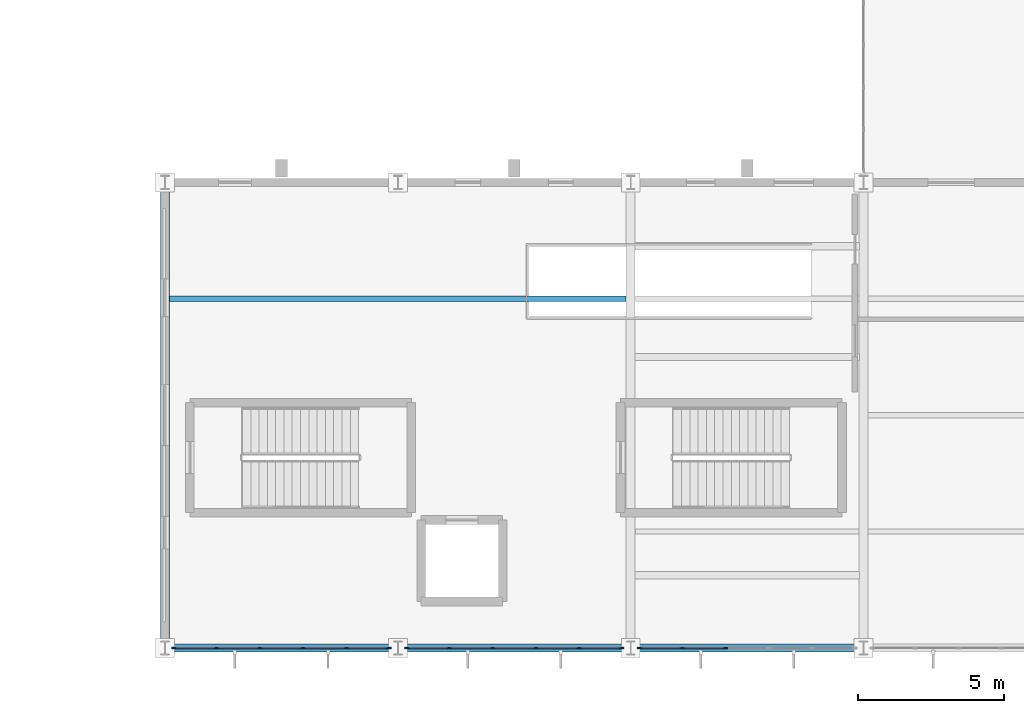
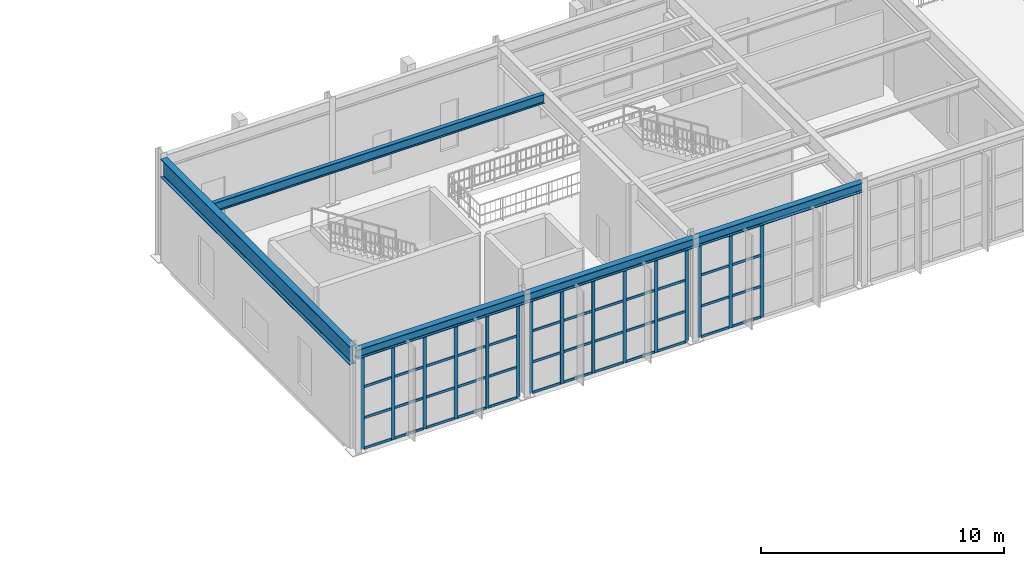
# One storey, part 19 of 82: 63 members, 5 beams, 3 elements without a shape of their own.
"""IFC4 building model written with IfcOpenShell, lengths in metres."""

from ifc_helpers import new_model, si_unit, direction, frame, origin, origin_2d, place, context, subcontext, project, spatial, rectangle, i_section, extrude, material, material_profile, profile_set, type_object, element, aggregate, save


model = new_model("IFC4")

# Units and contexts
model_context = context("Model", 3, precision=1e-05, world=origin(), true_north=direction((0.0, 1.0)))
body_context = subcontext(model_context, "Body", "Model", "MODEL_VIEW")
ifc_project = project(units=[si_unit("LENGTHUNIT", "METRE"), si_unit("AREAUNIT", "SQUARE_METRE"), si_unit("VOLUMEUNIT", "CUBIC_METRE"), si_unit("PLANEANGLEUNIT", "RADIAN"), si_unit("MASSUNIT", "GRAM", prefix="KILO")], contexts=[model_context])

# Site, building, storey
site_placement = place(None, origin())
site = spatial("IfcSite", under=ifc_project, at=site_placement, CompositionType="ELEMENT")
building_placement = place(site_placement, origin())
building = spatial("IfcBuilding", under=site, at=building_placement, Name="Serraluz Foothill Cableway Terminal", CompositionType="ELEMENT")
storey_placement = place(building_placement, frame((0.0, 0.0, 9.60009765625)))
storey = spatial("IfcBuildingStorey", under=building, at=storey_placement, Name="L02", CompositionType="ELEMENT", Elevation=9.60009765625)

# Beam
ifc_material_1 = material(Name="Steel ASTM A992 Grade 50", Category="steel")
ifc_material_profile_1 = material_profile(ifc_material_1, i_section(OverallWidth=0.30810546875, OverallDepth=0.927001953125, WebThickness=0.019287109375, FlangeThickness=0.031982421875, FilletRadius=0.02587890625, at=origin_2d()), Name="W36X194")
ifc_profile_set_1 = profile_set([ifc_material_profile_1], Name="Steel ASTM A992 Grade 50")
beam_type_1 = type_object("IfcBeamType", Name="TYP-BM-W36X194", PredefinedType="BEAM", material=ifc_profile_set_1)
beam_1_placement = place(storey_placement, frame((96.0, 0.23193359375, 4.6865234375), z_axis=(0.0, 1.0, 0.0), x_axis=(-1.0, 0.0, 0.0)))
element("IfcBeam", 1, at=beam_1_placement, inside=storey, type_object=beam_type_1, Name="Transverse Girder BM-Y-L02-0334", PredefinedType="BEAM", context=body_context, shape_type="SweptSolid", body=[
    extrude(i_section(OverallWidth=0.30810546875, OverallDepth=0.927001953125, WebThickness=0.019287109375, FlangeThickness=0.031982421875, FilletRadius=0.02587890625, at=origin_2d()), origin(), (0.0, 0.0, 1.0), 15.5361328125),
])

# Curtain wall, members
ifc_material_2 = material(Name="Architectural bronze alloy C28000", Category="aluminium")
curtain_wall_type_1 = type_object("IfcCurtainWallType", Name="TYP-CW-680X420", PredefinedType="NOTDEFINED", material=ifc_material_2)
curtain_wall_1_placement = place(storey_placement, origin())
curtain_wall_1 = element("IfcCurtainWall", 2, at=curtain_wall_1_placement, inside=storey, type_object=curtain_wall_type_1, Name="Ribbed Glazed Curtain Wall CW-V3S-L02-96", PredefinedType="NOTDEFINED")
ifc_material_profile_2 = material_profile(ifc_material_2, rectangle(XDim=0.06005859375, YDim=0.159912109375, at=origin_2d()), Name="ALU MULLION 60x160")
ifc_profile_set_2 = profile_set([ifc_material_profile_2], Name="Architectural bronze alloy C28000")
member_type_1 = type_object("IfcMemberType", Name="TYP-CW-MUL-60X160", PredefinedType="MULLION", material=ifc_profile_set_2)
member_1_placement = place(storey_placement, frame((103.6884765625, 0.0, 0.0), z_axis=(0.0, 0.0, 1.0), x_axis=(0.0, -1.0, 0.0)))
member_1 = element("IfcMember", 3, at=member_1_placement, type_object=member_type_1, Name="CW-13 mullion 1", PredefinedType="MULLION", context=body_context, shape_type="SweptSolid", body=[
    extrude(rectangle(XDim=0.06005859375, YDim=0.159912109375, at=origin_2d()), origin(), (0.0, 0.0, 1.0), 4.677978515625),
])
member_2_placement = place(storey_placement, frame((102.231201171875, 0.0, 0.0), z_axis=(0.0, 0.0, 1.0), x_axis=(0.0, -1.0, 0.0)))
member_2 = element("IfcMember", 4, at=member_2_placement, type_object=member_type_1, Name="CW-13 mullion 2", PredefinedType="MULLION", context=body_context, shape_type="SweptSolid", body=[
    extrude(rectangle(XDim=0.06005859375, YDim=0.159912109375, at=origin_2d()), origin(), (0.0, 0.0, 1.0), 4.677978515625),
])
member_3_placement = place(storey_placement, frame((100.74365234375, 0.0, 0.0), z_axis=(0.0, 0.0, 1.0), x_axis=(0.0, -1.0, 0.0)))
member_3 = element("IfcMember", 5, at=member_3_placement, type_object=member_type_1, Name="CW-13 mullion 3", PredefinedType="MULLION", context=body_context, shape_type="SweptSolid", body=[
    extrude(rectangle(XDim=0.06005859375, YDim=0.159912109375, at=origin_2d()), origin(), (0.0, 0.0, 1.0), 4.677978515625),
])
member_4_placement = place(storey_placement, frame((99.25634765625, 0.0, 0.0), z_axis=(0.0, 0.0, 1.0), x_axis=(0.0, -1.0, 0.0)))
member_4 = element("IfcMember", 6, at=member_4_placement, type_object=member_type_1, Name="CW-13 mullion 4", PredefinedType="MULLION", context=body_context, shape_type="SweptSolid", body=[
    extrude(rectangle(XDim=0.06005859375, YDim=0.159912109375, at=origin_2d()), origin(), (0.0, 0.0, 1.0), 4.677978515625),
])
member_5_placement = place(storey_placement, frame((97.768798828125, 0.0, 0.0), z_axis=(0.0, 0.0, 1.0), x_axis=(0.0, -1.0, 0.0)))
member_5 = element("IfcMember", 7, at=member_5_placement, type_object=member_type_1, Name="CW-13 mullion 5", PredefinedType="MULLION", context=body_context, shape_type="SweptSolid", body=[
    extrude(rectangle(XDim=0.06005859375, YDim=0.159912109375, at=origin_2d()), origin(), (0.0, 0.0, 1.0), 4.677978515625),
])
member_6_placement = place(storey_placement, frame((96.3115234375, 0.0, 0.0), z_axis=(0.0, 0.0, 1.0), x_axis=(0.0, -1.0, 0.0)))
member_6 = element("IfcMember", 8, at=member_6_placement, type_object=member_type_1, Name="CW-13 mullion 6", PredefinedType="MULLION", context=body_context, shape_type="SweptSolid", body=[
    extrude(rectangle(XDim=0.06005859375, YDim=0.159912109375, at=origin_2d()), origin(), (0.0, 0.0, 1.0), 4.677978515625),
])

curtain_wall_type_2 = type_object("IfcCurtainWallType", Name="TYP-CW-480X380", PredefinedType="NOTDEFINED", material=ifc_material_2)
curtain_wall_2_placement = place(storey_placement, origin())
curtain_wall_2 = element("IfcCurtainWall", 9, at=curtain_wall_2_placement, inside=storey, type_object=curtain_wall_type_2, Name="Ribbed Glazed Curtain Wall CW-V3S-L02-104", PredefinedType="NOTDEFINED")
member_7_placement = place(storey_placement, frame((111.6884765625, 0.0, 0.0), z_axis=(0.0, 0.0, 1.0), x_axis=(0.0, -1.0, 0.0)))
member_7 = element("IfcMember", 10, at=member_7_placement, type_object=member_type_1, Name="CW-14 mullion 1", PredefinedType="MULLION", context=body_context, shape_type="SweptSolid", body=[
    extrude(rectangle(XDim=0.06005859375, YDim=0.159912109375, at=origin_2d()), origin(), (0.0, 0.0, 1.0), 4.677978515625),
])
member_8_placement = place(storey_placement, frame((110.231201171875, 0.0, 0.0), z_axis=(0.0, 0.0, 1.0), x_axis=(0.0, -1.0, 0.0)))
member_8 = element("IfcMember", 11, at=member_8_placement, type_object=member_type_1, Name="CW-14 mullion 2", PredefinedType="MULLION", context=body_context, shape_type="SweptSolid", body=[
    extrude(rectangle(XDim=0.06005859375, YDim=0.159912109375, at=origin_2d()), origin(), (0.0, 0.0, 1.0), 4.677978515625),
])
member_9_placement = place(storey_placement, frame((108.74365234375, 0.0, 0.0), z_axis=(0.0, 0.0, 1.0), x_axis=(0.0, -1.0, 0.0)))
member_9 = element("IfcMember", 12, at=member_9_placement, type_object=member_type_1, Name="CW-14 mullion 3", PredefinedType="MULLION", context=body_context, shape_type="SweptSolid", body=[
    extrude(rectangle(XDim=0.06005859375, YDim=0.159912109375, at=origin_2d()), origin(), (0.0, 0.0, 1.0), 4.677978515625),
])
member_10_placement = place(storey_placement, frame((107.25634765625, 0.0, 0.0), z_axis=(0.0, 0.0, 1.0), x_axis=(0.0, -1.0, 0.0)))
member_10 = element("IfcMember", 13, at=member_10_placement, type_object=member_type_1, Name="CW-14 mullion 4", PredefinedType="MULLION", context=body_context, shape_type="SweptSolid", body=[
    extrude(rectangle(XDim=0.06005859375, YDim=0.159912109375, at=origin_2d()), origin(), (0.0, 0.0, 1.0), 4.677978515625),
])
member_11_placement = place(storey_placement, frame((105.768798828125, 0.0, 0.0), z_axis=(0.0, 0.0, 1.0), x_axis=(0.0, -1.0, 0.0)))
member_11 = element("IfcMember", 14, at=member_11_placement, type_object=member_type_1, Name="CW-14 mullion 5", PredefinedType="MULLION", context=body_context, shape_type="SweptSolid", body=[
    extrude(rectangle(XDim=0.06005859375, YDim=0.159912109375, at=origin_2d()), origin(), (0.0, 0.0, 1.0), 4.677978515625),
])
member_12_placement = place(storey_placement, frame((104.3115234375, 0.0, 0.0), z_axis=(0.0, 0.0, 1.0), x_axis=(0.0, -1.0, 0.0)))
member_12 = element("IfcMember", 15, at=member_12_placement, type_object=member_type_1, Name="CW-14 mullion 6", PredefinedType="MULLION", context=body_context, shape_type="SweptSolid", body=[
    extrude(rectangle(XDim=0.06005859375, YDim=0.159912109375, at=origin_2d()), origin(), (0.0, 0.0, 1.0), 4.677978515625),
])

curtain_wall_type_3 = type_object("IfcCurtainWallType", Name="TYP-CW-480X420", PredefinedType="NOTDEFINED", material=ifc_material_2)
curtain_wall_3_placement = place(storey_placement, origin())
curtain_wall_3 = element("IfcCurtainWall", 16, at=curtain_wall_3_placement, inside=storey, type_object=curtain_wall_type_3, Name="Ribbed Glazed Curtain Wall CW-V3S-L02-112", PredefinedType="NOTDEFINED")
member_13_placement = place(storey_placement, frame((115.25634765625, 0.0, 0.0), z_axis=(0.0, 0.0, 1.0), x_axis=(0.0, -1.0, 0.0)))
member_13 = element("IfcMember", 17, at=member_13_placement, type_object=member_type_1, Name="CW-15 mullion 4", PredefinedType="MULLION", context=body_context, shape_type="SweptSolid", body=[
    extrude(rectangle(XDim=0.06005859375, YDim=0.159912109375, at=origin_2d()), origin(), (0.0, 0.0, 1.0), 4.677978515625),
])
member_14_placement = place(storey_placement, frame((113.768798828125, 0.0, 0.0), z_axis=(0.0, 0.0, 1.0), x_axis=(0.0, -1.0, 0.0)))
member_14 = element("IfcMember", 18, at=member_14_placement, type_object=member_type_1, Name="CW-15 mullion 5", PredefinedType="MULLION", context=body_context, shape_type="SweptSolid", body=[
    extrude(rectangle(XDim=0.06005859375, YDim=0.159912109375, at=origin_2d()), origin(), (0.0, 0.0, 1.0), 4.677978515625),
])
member_15_placement = place(storey_placement, frame((112.3115234375, 0.0, 0.0), z_axis=(0.0, 0.0, 1.0), x_axis=(0.0, -1.0, 0.0)))
member_15 = element("IfcMember", 19, at=member_15_placement, type_object=member_type_1, Name="CW-15 mullion 6", PredefinedType="MULLION", context=body_context, shape_type="SweptSolid", body=[
    extrude(rectangle(XDim=0.06005859375, YDim=0.159912109375, at=origin_2d()), origin(), (0.0, 0.0, 1.0), 4.677978515625),
])

# Member
ifc_material_profile_3 = material_profile(ifc_material_2, rectangle(XDim=0.06005859375, YDim=0.1201171875, at=origin_2d()), Name="ALU TRANSOM 60x120")
ifc_profile_set_3 = profile_set([ifc_material_profile_3], Name="Architectural bronze alloy C28000")
member_type_2 = type_object("IfcMemberType", Name="TYP-CW-TRN-60X120", PredefinedType="USERDEFINED", material=ifc_profile_set_3)
member_16_placement = place(storey_placement, frame((103.658447265625, 0.0, 0.02978515625), z_axis=(-1.0, 0.0, 0.0), x_axis=(0.0, -1.0, 0.0)))
member_16 = element("IfcMember", 20, at=member_16_placement, type_object=member_type_2, Name="CW-13 transom 1.1", ObjectType="TRANSOM", PredefinedType="USERDEFINED", context=body_context, shape_type="SweptSolid", body=[
    extrude(rectangle(XDim=0.06005859375, YDim=0.1201171875, at=origin_2d()), origin(), (0.0, 0.0, 1.0), 1.3974609375),
])

member_17_placement = place(storey_placement, frame((103.658447265625, 0.0, 1.55908203125), z_axis=(-1.0, 0.0, 0.0), x_axis=(0.0, -1.0, 0.0)))
member_17 = element("IfcMember", 21, at=member_17_placement, type_object=member_type_2, Name="CW-13 transom 1.2", ObjectType="TRANSOM", PredefinedType="USERDEFINED", context=body_context, shape_type="SweptSolid", body=[
    extrude(rectangle(XDim=0.06005859375, YDim=0.1201171875, at=origin_2d()), origin(), (0.0, 0.0, 1.0), 1.3974609375),
])

member_18_placement = place(storey_placement, frame((103.658447265625, 0.0, 3.11865234375), z_axis=(-1.0, 0.0, 0.0), x_axis=(0.0, -1.0, 0.0)))
member_18 = element("IfcMember", 22, at=member_18_placement, type_object=member_type_2, Name="CW-13 transom 1.3", ObjectType="TRANSOM", PredefinedType="USERDEFINED", context=body_context, shape_type="SweptSolid", body=[
    extrude(rectangle(XDim=0.06005859375, YDim=0.1201171875, at=origin_2d()), origin(), (0.0, 0.0, 1.0), 1.3974609375),
])

member_19_placement = place(storey_placement, frame((103.658447265625, 0.0, 4.64794921875), z_axis=(-1.0, 0.0, 0.0), x_axis=(0.0, -1.0, 0.0)))
member_19 = element("IfcMember", 23, at=member_19_placement, type_object=member_type_2, Name="CW-13 transom 1.4", ObjectType="TRANSOM", PredefinedType="USERDEFINED", context=body_context, shape_type="SweptSolid", body=[
    extrude(rectangle(XDim=0.06005859375, YDim=0.1201171875, at=origin_2d()), origin(), (0.0, 0.0, 1.0), 1.3974609375),
])

member_20_placement = place(storey_placement, frame((102.201171875, 0.0, 0.02978515625), z_axis=(-1.0, 0.0, 0.0), x_axis=(0.0, -1.0, 0.0)))
member_20 = element("IfcMember", 24, at=member_20_placement, type_object=member_type_2, Name="CW-13 transom 2.1", ObjectType="TRANSOM", PredefinedType="USERDEFINED", context=body_context, shape_type="SweptSolid", body=[
    extrude(rectangle(XDim=0.06005859375, YDim=0.1201171875, at=origin_2d()), origin(), (0.0, 0.0, 1.0), 1.427490234375),
])

member_21_placement = place(storey_placement, frame((102.201171875, 0.0, 1.55908203125), z_axis=(-1.0, 0.0, 0.0), x_axis=(0.0, -1.0, 0.0)))
member_21 = element("IfcMember", 25, at=member_21_placement, type_object=member_type_2, Name="CW-13 transom 2.2", ObjectType="TRANSOM", PredefinedType="USERDEFINED", context=body_context, shape_type="SweptSolid", body=[
    extrude(rectangle(XDim=0.06005859375, YDim=0.1201171875, at=origin_2d()), origin(), (0.0, 0.0, 1.0), 1.427490234375),
])

member_22_placement = place(storey_placement, frame((102.201171875, 0.0, 3.11865234375), z_axis=(-1.0, 0.0, 0.0), x_axis=(0.0, -1.0, 0.0)))
member_22 = element("IfcMember", 26, at=member_22_placement, type_object=member_type_2, Name="CW-13 transom 2.3", ObjectType="TRANSOM", PredefinedType="USERDEFINED", context=body_context, shape_type="SweptSolid", body=[
    extrude(rectangle(XDim=0.06005859375, YDim=0.1201171875, at=origin_2d()), origin(), (0.0, 0.0, 1.0), 1.427490234375),
])

member_23_placement = place(storey_placement, frame((102.201171875, 0.0, 4.64794921875), z_axis=(-1.0, 0.0, 0.0), x_axis=(0.0, -1.0, 0.0)))
member_23 = element("IfcMember", 27, at=member_23_placement, type_object=member_type_2, Name="CW-13 transom 2.4", ObjectType="TRANSOM", PredefinedType="USERDEFINED", context=body_context, shape_type="SweptSolid", body=[
    extrude(rectangle(XDim=0.06005859375, YDim=0.1201171875, at=origin_2d()), origin(), (0.0, 0.0, 1.0), 1.427490234375),
])

member_24_placement = place(storey_placement, frame((100.713623046875, 0.0, 0.02978515625), z_axis=(-1.0, 0.0, 0.0), x_axis=(0.0, -1.0, 0.0)))
member_24 = element("IfcMember", 28, at=member_24_placement, type_object=member_type_2, Name="CW-13 transom 3.1", ObjectType="TRANSOM", PredefinedType="USERDEFINED", context=body_context, shape_type="SweptSolid", body=[
    extrude(rectangle(XDim=0.06005859375, YDim=0.1201171875, at=origin_2d()), origin(), (0.0, 0.0, 1.0), 1.42724609375),
])

member_25_placement = place(storey_placement, frame((100.713623046875, 0.0, 1.55908203125), z_axis=(-1.0, 0.0, 0.0), x_axis=(0.0, -1.0, 0.0)))
member_25 = element("IfcMember", 29, at=member_25_placement, type_object=member_type_2, Name="CW-13 transom 3.2", ObjectType="TRANSOM", PredefinedType="USERDEFINED", context=body_context, shape_type="SweptSolid", body=[
    extrude(rectangle(XDim=0.06005859375, YDim=0.1201171875, at=origin_2d()), origin(), (0.0, 0.0, 1.0), 1.42724609375),
])

member_26_placement = place(storey_placement, frame((100.713623046875, 0.0, 3.11865234375), z_axis=(-1.0, 0.0, 0.0), x_axis=(0.0, -1.0, 0.0)))
member_26 = element("IfcMember", 30, at=member_26_placement, type_object=member_type_2, Name="CW-13 transom 3.3", ObjectType="TRANSOM", PredefinedType="USERDEFINED", context=body_context, shape_type="SweptSolid", body=[
    extrude(rectangle(XDim=0.06005859375, YDim=0.1201171875, at=origin_2d()), origin(), (0.0, 0.0, 1.0), 1.42724609375),
])

member_27_placement = place(storey_placement, frame((100.713623046875, 0.0, 4.64794921875), z_axis=(-1.0, 0.0, 0.0), x_axis=(0.0, -1.0, 0.0)))
member_27 = element("IfcMember", 31, at=member_27_placement, type_object=member_type_2, Name="CW-13 transom 3.4", ObjectType="TRANSOM", PredefinedType="USERDEFINED", context=body_context, shape_type="SweptSolid", body=[
    extrude(rectangle(XDim=0.06005859375, YDim=0.1201171875, at=origin_2d()), origin(), (0.0, 0.0, 1.0), 1.42724609375),
])

member_28_placement = place(storey_placement, frame((99.226318359375, 0.0, 0.02978515625), z_axis=(-1.0, 0.0, 0.0), x_axis=(0.0, -1.0, 0.0)))
member_28 = element("IfcMember", 32, at=member_28_placement, type_object=member_type_2, Name="CW-13 transom 4.1", ObjectType="TRANSOM", PredefinedType="USERDEFINED", context=body_context, shape_type="SweptSolid", body=[
    extrude(rectangle(XDim=0.06005859375, YDim=0.1201171875, at=origin_2d()), origin(), (0.0, 0.0, 1.0), 1.427490234375),
])

member_29_placement = place(storey_placement, frame((99.226318359375, 0.0, 1.55908203125), z_axis=(-1.0, 0.0, 0.0), x_axis=(0.0, -1.0, 0.0)))
member_29 = element("IfcMember", 33, at=member_29_placement, type_object=member_type_2, Name="CW-13 transom 4.2", ObjectType="TRANSOM", PredefinedType="USERDEFINED", context=body_context, shape_type="SweptSolid", body=[
    extrude(rectangle(XDim=0.06005859375, YDim=0.1201171875, at=origin_2d()), origin(), (0.0, 0.0, 1.0), 1.427490234375),
])

member_30_placement = place(storey_placement, frame((99.226318359375, 0.0, 3.11865234375), z_axis=(-1.0, 0.0, 0.0), x_axis=(0.0, -1.0, 0.0)))
member_30 = element("IfcMember", 34, at=member_30_placement, type_object=member_type_2, Name="CW-13 transom 4.3", ObjectType="TRANSOM", PredefinedType="USERDEFINED", context=body_context, shape_type="SweptSolid", body=[
    extrude(rectangle(XDim=0.06005859375, YDim=0.1201171875, at=origin_2d()), origin(), (0.0, 0.0, 1.0), 1.427490234375),
])

member_31_placement = place(storey_placement, frame((99.226318359375, 0.0, 4.64794921875), z_axis=(-1.0, 0.0, 0.0), x_axis=(0.0, -1.0, 0.0)))
member_31 = element("IfcMember", 35, at=member_31_placement, type_object=member_type_2, Name="CW-13 transom 4.4", ObjectType="TRANSOM", PredefinedType="USERDEFINED", context=body_context, shape_type="SweptSolid", body=[
    extrude(rectangle(XDim=0.06005859375, YDim=0.1201171875, at=origin_2d()), origin(), (0.0, 0.0, 1.0), 1.427490234375),
])

member_32_placement = place(storey_placement, frame((97.739013671875, 0.0, 0.02978515625), z_axis=(-1.0, 0.0, 0.0), x_axis=(0.0, -1.0, 0.0)))
member_32 = element("IfcMember", 36, at=member_32_placement, type_object=member_type_2, Name="CW-13 transom 5.1", ObjectType="TRANSOM", PredefinedType="USERDEFINED", context=body_context, shape_type="SweptSolid", body=[
    extrude(rectangle(XDim=0.06005859375, YDim=0.1201171875, at=origin_2d()), origin(), (0.0, 0.0, 1.0), 1.3974609375),
])

member_33_placement = place(storey_placement, frame((97.739013671875, 0.0, 1.55908203125), z_axis=(-1.0, 0.0, 0.0), x_axis=(0.0, -1.0, 0.0)))
member_33 = element("IfcMember", 37, at=member_33_placement, type_object=member_type_2, Name="CW-13 transom 5.2", ObjectType="TRANSOM", PredefinedType="USERDEFINED", context=body_context, shape_type="SweptSolid", body=[
    extrude(rectangle(XDim=0.06005859375, YDim=0.1201171875, at=origin_2d()), origin(), (0.0, 0.0, 1.0), 1.3974609375),
])

member_34_placement = place(storey_placement, frame((97.739013671875, 0.0, 3.11865234375), z_axis=(-1.0, 0.0, 0.0), x_axis=(0.0, -1.0, 0.0)))
member_34 = element("IfcMember", 38, at=member_34_placement, type_object=member_type_2, Name="CW-13 transom 5.3", ObjectType="TRANSOM", PredefinedType="USERDEFINED", context=body_context, shape_type="SweptSolid", body=[
    extrude(rectangle(XDim=0.06005859375, YDim=0.1201171875, at=origin_2d()), origin(), (0.0, 0.0, 1.0), 1.3974609375),
])

member_35_placement = place(storey_placement, frame((97.739013671875, 0.0, 4.64794921875), z_axis=(-1.0, 0.0, 0.0), x_axis=(0.0, -1.0, 0.0)))
member_35 = element("IfcMember", 39, at=member_35_placement, type_object=member_type_2, Name="CW-13 transom 5.4", ObjectType="TRANSOM", PredefinedType="USERDEFINED", context=body_context, shape_type="SweptSolid", body=[
    extrude(rectangle(XDim=0.06005859375, YDim=0.1201171875, at=origin_2d()), origin(), (0.0, 0.0, 1.0), 1.3974609375),
])

aggregate(curtain_wall_1, [member_1, member_2, member_3, member_4, member_5, member_6, member_16, member_17, member_18, member_19, member_20, member_21, member_22, member_23, member_24, member_25, member_26, member_27, member_28, member_29, member_30, member_31, member_32, member_33, member_34, member_35])

member_36_placement = place(storey_placement, frame((111.658447265625, 0.0, 0.02978515625), z_axis=(-1.0, 0.0, 0.0), x_axis=(0.0, -1.0, 0.0)))
member_36 = element("IfcMember", 40, at=member_36_placement, type_object=member_type_2, Name="CW-14 transom 1.1", ObjectType="TRANSOM", PredefinedType="USERDEFINED", context=body_context, shape_type="SweptSolid", body=[
    extrude(rectangle(XDim=0.06005859375, YDim=0.1201171875, at=origin_2d()), origin(), (0.0, 0.0, 1.0), 1.3974609375),
])

member_37_placement = place(storey_placement, frame((111.658447265625, 0.0, 1.55908203125), z_axis=(-1.0, 0.0, 0.0), x_axis=(0.0, -1.0, 0.0)))
member_37 = element("IfcMember", 41, at=member_37_placement, type_object=member_type_2, Name="CW-14 transom 1.2", ObjectType="TRANSOM", PredefinedType="USERDEFINED", context=body_context, shape_type="SweptSolid", body=[
    extrude(rectangle(XDim=0.06005859375, YDim=0.1201171875, at=origin_2d()), origin(), (0.0, 0.0, 1.0), 1.3974609375),
])

member_38_placement = place(storey_placement, frame((111.658447265625, 0.0, 3.11865234375), z_axis=(-1.0, 0.0, 0.0), x_axis=(0.0, -1.0, 0.0)))
member_38 = element("IfcMember", 42, at=member_38_placement, type_object=member_type_2, Name="CW-14 transom 1.3", ObjectType="TRANSOM", PredefinedType="USERDEFINED", context=body_context, shape_type="SweptSolid", body=[
    extrude(rectangle(XDim=0.06005859375, YDim=0.1201171875, at=origin_2d()), origin(), (0.0, 0.0, 1.0), 1.3974609375),
])

member_39_placement = place(storey_placement, frame((111.658447265625, 0.0, 4.64794921875), z_axis=(-1.0, 0.0, 0.0), x_axis=(0.0, -1.0, 0.0)))
member_39 = element("IfcMember", 43, at=member_39_placement, type_object=member_type_2, Name="CW-14 transom 1.4", ObjectType="TRANSOM", PredefinedType="USERDEFINED", context=body_context, shape_type="SweptSolid", body=[
    extrude(rectangle(XDim=0.06005859375, YDim=0.1201171875, at=origin_2d()), origin(), (0.0, 0.0, 1.0), 1.3974609375),
])

member_40_placement = place(storey_placement, frame((110.201171875, 0.0, 0.02978515625), z_axis=(-1.0, 0.0, 0.0), x_axis=(0.0, -1.0, 0.0)))
member_40 = element("IfcMember", 44, at=member_40_placement, type_object=member_type_2, Name="CW-14 transom 2.1", ObjectType="TRANSOM", PredefinedType="USERDEFINED", context=body_context, shape_type="SweptSolid", body=[
    extrude(rectangle(XDim=0.06005859375, YDim=0.1201171875, at=origin_2d()), origin(), (0.0, 0.0, 1.0), 1.427490234375),
])

member_41_placement = place(storey_placement, frame((110.201171875, 0.0, 1.55908203125), z_axis=(-1.0, 0.0, 0.0), x_axis=(0.0, -1.0, 0.0)))
member_41 = element("IfcMember", 45, at=member_41_placement, type_object=member_type_2, Name="CW-14 transom 2.2", ObjectType="TRANSOM", PredefinedType="USERDEFINED", context=body_context, shape_type="SweptSolid", body=[
    extrude(rectangle(XDim=0.06005859375, YDim=0.1201171875, at=origin_2d()), origin(), (0.0, 0.0, 1.0), 1.427490234375),
])

member_42_placement = place(storey_placement, frame((110.201171875, 0.0, 3.11865234375), z_axis=(-1.0, 0.0, 0.0), x_axis=(0.0, -1.0, 0.0)))
member_42 = element("IfcMember", 46, at=member_42_placement, type_object=member_type_2, Name="CW-14 transom 2.3", ObjectType="TRANSOM", PredefinedType="USERDEFINED", context=body_context, shape_type="SweptSolid", body=[
    extrude(rectangle(XDim=0.06005859375, YDim=0.1201171875, at=origin_2d()), origin(), (0.0, 0.0, 1.0), 1.427490234375),
])

member_43_placement = place(storey_placement, frame((110.201171875, 0.0, 4.64794921875), z_axis=(-1.0, 0.0, 0.0), x_axis=(0.0, -1.0, 0.0)))
member_43 = element("IfcMember", 47, at=member_43_placement, type_object=member_type_2, Name="CW-14 transom 2.4", ObjectType="TRANSOM", PredefinedType="USERDEFINED", context=body_context, shape_type="SweptSolid", body=[
    extrude(rectangle(XDim=0.06005859375, YDim=0.1201171875, at=origin_2d()), origin(), (0.0, 0.0, 1.0), 1.427490234375),
])

member_44_placement = place(storey_placement, frame((108.713623046875, 0.0, 0.02978515625), z_axis=(-1.0, 0.0, 0.0), x_axis=(0.0, -1.0, 0.0)))
member_44 = element("IfcMember", 48, at=member_44_placement, type_object=member_type_2, Name="CW-14 transom 3.1", ObjectType="TRANSOM", PredefinedType="USERDEFINED", context=body_context, shape_type="SweptSolid", body=[
    extrude(rectangle(XDim=0.06005859375, YDim=0.1201171875, at=origin_2d()), origin(), (0.0, 0.0, 1.0), 1.42724609375),
])

member_45_placement = place(storey_placement, frame((108.713623046875, 0.0, 1.55908203125), z_axis=(-1.0, 0.0, 0.0), x_axis=(0.0, -1.0, 0.0)))
member_45 = element("IfcMember", 49, at=member_45_placement, type_object=member_type_2, Name="CW-14 transom 3.2", ObjectType="TRANSOM", PredefinedType="USERDEFINED", context=body_context, shape_type="SweptSolid", body=[
    extrude(rectangle(XDim=0.06005859375, YDim=0.1201171875, at=origin_2d()), origin(), (0.0, 0.0, 1.0), 1.42724609375),
])

member_46_placement = place(storey_placement, frame((108.713623046875, 0.0, 3.11865234375), z_axis=(-1.0, 0.0, 0.0), x_axis=(0.0, -1.0, 0.0)))
member_46 = element("IfcMember", 50, at=member_46_placement, type_object=member_type_2, Name="CW-14 transom 3.3", ObjectType="TRANSOM", PredefinedType="USERDEFINED", context=body_context, shape_type="SweptSolid", body=[
    extrude(rectangle(XDim=0.06005859375, YDim=0.1201171875, at=origin_2d()), origin(), (0.0, 0.0, 1.0), 1.42724609375),
])

member_47_placement = place(storey_placement, frame((108.713623046875, 0.0, 4.64794921875), z_axis=(-1.0, 0.0, 0.0), x_axis=(0.0, -1.0, 0.0)))
member_47 = element("IfcMember", 51, at=member_47_placement, type_object=member_type_2, Name="CW-14 transom 3.4", ObjectType="TRANSOM", PredefinedType="USERDEFINED", context=body_context, shape_type="SweptSolid", body=[
    extrude(rectangle(XDim=0.06005859375, YDim=0.1201171875, at=origin_2d()), origin(), (0.0, 0.0, 1.0), 1.42724609375),
])

member_48_placement = place(storey_placement, frame((107.226318359375, 0.0, 0.02978515625), z_axis=(-1.0, 0.0, 0.0), x_axis=(0.0, -1.0, 0.0)))
member_48 = element("IfcMember", 52, at=member_48_placement, type_object=member_type_2, Name="CW-14 transom 4.1", ObjectType="TRANSOM", PredefinedType="USERDEFINED", context=body_context, shape_type="SweptSolid", body=[
    extrude(rectangle(XDim=0.06005859375, YDim=0.1201171875, at=origin_2d()), origin(), (0.0, 0.0, 1.0), 1.427490234375),
])

member_49_placement = place(storey_placement, frame((107.226318359375, 0.0, 1.55908203125), z_axis=(-1.0, 0.0, 0.0), x_axis=(0.0, -1.0, 0.0)))
member_49 = element("IfcMember", 53, at=member_49_placement, type_object=member_type_2, Name="CW-14 transom 4.2", ObjectType="TRANSOM", PredefinedType="USERDEFINED", context=body_context, shape_type="SweptSolid", body=[
    extrude(rectangle(XDim=0.06005859375, YDim=0.1201171875, at=origin_2d()), origin(), (0.0, 0.0, 1.0), 1.427490234375),
])

member_50_placement = place(storey_placement, frame((107.226318359375, 0.0, 3.11865234375), z_axis=(-1.0, 0.0, 0.0), x_axis=(0.0, -1.0, 0.0)))
member_50 = element("IfcMember", 54, at=member_50_placement, type_object=member_type_2, Name="CW-14 transom 4.3", ObjectType="TRANSOM", PredefinedType="USERDEFINED", context=body_context, shape_type="SweptSolid", body=[
    extrude(rectangle(XDim=0.06005859375, YDim=0.1201171875, at=origin_2d()), origin(), (0.0, 0.0, 1.0), 1.427490234375),
])

member_51_placement = place(storey_placement, frame((107.226318359375, 0.0, 4.64794921875), z_axis=(-1.0, 0.0, 0.0), x_axis=(0.0, -1.0, 0.0)))
member_51 = element("IfcMember", 55, at=member_51_placement, type_object=member_type_2, Name="CW-14 transom 4.4", ObjectType="TRANSOM", PredefinedType="USERDEFINED", context=body_context, shape_type="SweptSolid", body=[
    extrude(rectangle(XDim=0.06005859375, YDim=0.1201171875, at=origin_2d()), origin(), (0.0, 0.0, 1.0), 1.427490234375),
])

member_52_placement = place(storey_placement, frame((105.739013671875, 0.0, 0.02978515625), z_axis=(-1.0, 0.0, 0.0), x_axis=(0.0, -1.0, 0.0)))
member_52 = element("IfcMember", 56, at=member_52_placement, type_object=member_type_2, Name="CW-14 transom 5.1", ObjectType="TRANSOM", PredefinedType="USERDEFINED", context=body_context, shape_type="SweptSolid", body=[
    extrude(rectangle(XDim=0.06005859375, YDim=0.1201171875, at=origin_2d()), origin(), (0.0, 0.0, 1.0), 1.3974609375),
])

member_53_placement = place(storey_placement, frame((105.739013671875, 0.0, 1.55908203125), z_axis=(-1.0, 0.0, 0.0), x_axis=(0.0, -1.0, 0.0)))
member_53 = element("IfcMember", 57, at=member_53_placement, type_object=member_type_2, Name="CW-14 transom 5.2", ObjectType="TRANSOM", PredefinedType="USERDEFINED", context=body_context, shape_type="SweptSolid", body=[
    extrude(rectangle(XDim=0.06005859375, YDim=0.1201171875, at=origin_2d()), origin(), (0.0, 0.0, 1.0), 1.3974609375),
])

member_54_placement = place(storey_placement, frame((105.739013671875, 0.0, 3.11865234375), z_axis=(-1.0, 0.0, 0.0), x_axis=(0.0, -1.0, 0.0)))
member_54 = element("IfcMember", 58, at=member_54_placement, type_object=member_type_2, Name="CW-14 transom 5.3", ObjectType="TRANSOM", PredefinedType="USERDEFINED", context=body_context, shape_type="SweptSolid", body=[
    extrude(rectangle(XDim=0.06005859375, YDim=0.1201171875, at=origin_2d()), origin(), (0.0, 0.0, 1.0), 1.3974609375),
])

member_55_placement = place(storey_placement, frame((105.739013671875, 0.0, 4.64794921875), z_axis=(-1.0, 0.0, 0.0), x_axis=(0.0, -1.0, 0.0)))
member_55 = element("IfcMember", 59, at=member_55_placement, type_object=member_type_2, Name="CW-14 transom 5.4", ObjectType="TRANSOM", PredefinedType="USERDEFINED", context=body_context, shape_type="SweptSolid", body=[
    extrude(rectangle(XDim=0.06005859375, YDim=0.1201171875, at=origin_2d()), origin(), (0.0, 0.0, 1.0), 1.3974609375),
])

aggregate(curtain_wall_2, [member_7, member_8, member_9, member_10, member_11, member_12, member_36, member_37, member_38, member_39, member_40, member_41, member_42, member_43, member_44, member_45, member_46, member_47, member_48, member_49, member_50, member_51, member_52, member_53, member_54, member_55])

member_56_placement = place(storey_placement, frame((115.226318359375, 0.0, 0.02978515625), z_axis=(-1.0, 0.0, 0.0), x_axis=(0.0, -1.0, 0.0)))
member_56 = element("IfcMember", 60, at=member_56_placement, type_object=member_type_2, Name="CW-15 transom 4.1", ObjectType="TRANSOM", PredefinedType="USERDEFINED", context=body_context, shape_type="SweptSolid", body=[
    extrude(rectangle(XDim=0.06005859375, YDim=0.1201171875, at=origin_2d()), origin(), (0.0, 0.0, 1.0), 1.427490234375),
])

member_57_placement = place(storey_placement, frame((115.226318359375, 0.0, 1.55908203125), z_axis=(-1.0, 0.0, 0.0), x_axis=(0.0, -1.0, 0.0)))
member_57 = element("IfcMember", 61, at=member_57_placement, type_object=member_type_2, Name="CW-15 transom 4.2", ObjectType="TRANSOM", PredefinedType="USERDEFINED", context=body_context, shape_type="SweptSolid", body=[
    extrude(rectangle(XDim=0.06005859375, YDim=0.1201171875, at=origin_2d()), origin(), (0.0, 0.0, 1.0), 1.427490234375),
])

member_58_placement = place(storey_placement, frame((115.226318359375, 0.0, 3.11865234375), z_axis=(-1.0, 0.0, 0.0), x_axis=(0.0, -1.0, 0.0)))
member_58 = element("IfcMember", 62, at=member_58_placement, type_object=member_type_2, Name="CW-15 transom 4.3", ObjectType="TRANSOM", PredefinedType="USERDEFINED", context=body_context, shape_type="SweptSolid", body=[
    extrude(rectangle(XDim=0.06005859375, YDim=0.1201171875, at=origin_2d()), origin(), (0.0, 0.0, 1.0), 1.427490234375),
])

member_59_placement = place(storey_placement, frame((115.226318359375, 0.0, 4.64794921875), z_axis=(-1.0, 0.0, 0.0), x_axis=(0.0, -1.0, 0.0)))
member_59 = element("IfcMember", 63, at=member_59_placement, type_object=member_type_2, Name="CW-15 transom 4.4", ObjectType="TRANSOM", PredefinedType="USERDEFINED", context=body_context, shape_type="SweptSolid", body=[
    extrude(rectangle(XDim=0.06005859375, YDim=0.1201171875, at=origin_2d()), origin(), (0.0, 0.0, 1.0), 1.427490234375),
])

member_60_placement = place(storey_placement, frame((113.739013671875, 0.0, 0.02978515625), z_axis=(-1.0, 0.0, 0.0), x_axis=(0.0, -1.0, 0.0)))
member_60 = element("IfcMember", 64, at=member_60_placement, type_object=member_type_2, Name="CW-15 transom 5.1", ObjectType="TRANSOM", PredefinedType="USERDEFINED", context=body_context, shape_type="SweptSolid", body=[
    extrude(rectangle(XDim=0.06005859375, YDim=0.1201171875, at=origin_2d()), origin(), (0.0, 0.0, 1.0), 1.3974609375),
])

member_61_placement = place(storey_placement, frame((113.739013671875, 0.0, 1.55908203125), z_axis=(-1.0, 0.0, 0.0), x_axis=(0.0, -1.0, 0.0)))
member_61 = element("IfcMember", 65, at=member_61_placement, type_object=member_type_2, Name="CW-15 transom 5.2", ObjectType="TRANSOM", PredefinedType="USERDEFINED", context=body_context, shape_type="SweptSolid", body=[
    extrude(rectangle(XDim=0.06005859375, YDim=0.1201171875, at=origin_2d()), origin(), (0.0, 0.0, 1.0), 1.3974609375),
])

member_62_placement = place(storey_placement, frame((113.739013671875, 0.0, 3.11865234375), z_axis=(-1.0, 0.0, 0.0), x_axis=(0.0, -1.0, 0.0)))
member_62 = element("IfcMember", 66, at=member_62_placement, type_object=member_type_2, Name="CW-15 transom 5.3", ObjectType="TRANSOM", PredefinedType="USERDEFINED", context=body_context, shape_type="SweptSolid", body=[
    extrude(rectangle(XDim=0.06005859375, YDim=0.1201171875, at=origin_2d()), origin(), (0.0, 0.0, 1.0), 1.3974609375),
])

member_63_placement = place(storey_placement, frame((113.739013671875, 0.0, 4.64794921875), z_axis=(-1.0, 0.0, 0.0), x_axis=(0.0, -1.0, 0.0)))
member_63 = element("IfcMember", 67, at=member_63_placement, type_object=member_type_2, Name="CW-15 transom 5.4", ObjectType="TRANSOM", PredefinedType="USERDEFINED", context=body_context, shape_type="SweptSolid", body=[
    extrude(rectangle(XDim=0.06005859375, YDim=0.1201171875, at=origin_2d()), origin(), (0.0, 0.0, 1.0), 1.3974609375),
])

aggregate(curtain_wall_3, [member_13, member_14, member_15, member_56, member_57, member_58, member_59, member_60, member_61, member_62, member_63])

# Beams
ifc_material_profile_4 = material_profile(ifc_material_1, i_section(OverallWidth=0.193115234375, OverallDepth=0.467041015625, WebThickness=0.011474609375, FlangeThickness=0.01904296875, FilletRadius=0.014892578125, at=origin_2d()), Name="W18X65")
ifc_profile_set_4 = profile_set([ifc_material_profile_4], Name="Steel ASTM A992 Grade 50")
beam_type_2 = type_object("IfcBeamType", Name="TYP-JS-W18X65", PredefinedType="JOIST", material=ifc_profile_set_4)
beam_2_placement = place(storey_placement, frame((96.158935546875, 12.0, 4.91650390625), z_axis=(1.0, 0.0, 0.0), x_axis=(0.0, 1.0, 0.0)))
element("IfcBeam", 68, at=beam_2_placement, inside=storey, type_object=beam_type_2, Name="Secondary Floor Joist JS-L02-0130", PredefinedType="JOIST", context=body_context, shape_type="SweptSolid", body=[
    extrude(i_section(OverallWidth=0.193115234375, OverallDepth=0.467041015625, WebThickness=0.011474609375, FlangeThickness=0.01904296875, FilletRadius=0.014892578125, at=origin_2d()), origin(), (0.0, 0.0, 1.0), 15.68212890625),
])
ifc_material_profile_5 = material_profile(ifc_material_1, i_section(OverallWidth=0.282958984375, OverallDepth=0.471923828125, WebThickness=0.013671875, FlangeThickness=0.022216796875, FilletRadius=0.014892578125, at=origin_2d()), Name="W18X97")
ifc_profile_set_5 = profile_set([ifc_material_profile_5], Name="Steel ASTM A992 Grade 50")
beam_type_3 = type_object("IfcBeamType", Name="TYP-SP-W18X97", PredefinedType="SPANDREL", material=ifc_profile_set_5)
for number, where, z_axis, x_axis, name in (
    (69, (96.0048828125, 0.0, 4.913818359375), (1.0, 0.0, 0.0), (0.0, 1.0, 0.0), "Primary Girder BM-X-L02-0296"),
    (70, (104.0048828125, 0.0, 4.913818359375), (1.0, 0.0, 0.0), (0.0, 1.0, 0.0), "Primary Girder BM-X-L02-0297"),
    (71, (112.0048828125, 0.0, 4.913818359375), (1.0, 0.0, 0.0), (0.0, 1.0, 0.0), "Primary Girder BM-X-L02-0298"),
):
    element("IfcBeam", number, at=place(storey_placement, frame(where, z_axis=z_axis, x_axis=x_axis)), inside=storey, type_object=beam_type_3, Name=name, PredefinedType="SPANDREL", context=body_context, shape_type="SweptSolid", body=[
        extrude(i_section(OverallWidth=0.282958984375, OverallDepth=0.471923828125, WebThickness=0.013671875, FlangeThickness=0.022216796875, FilletRadius=0.014892578125, at=origin_2d()), origin(), (0.0, 0.0, 1.0), 7.990234375),
    ])

save(model, "model.ifc")
